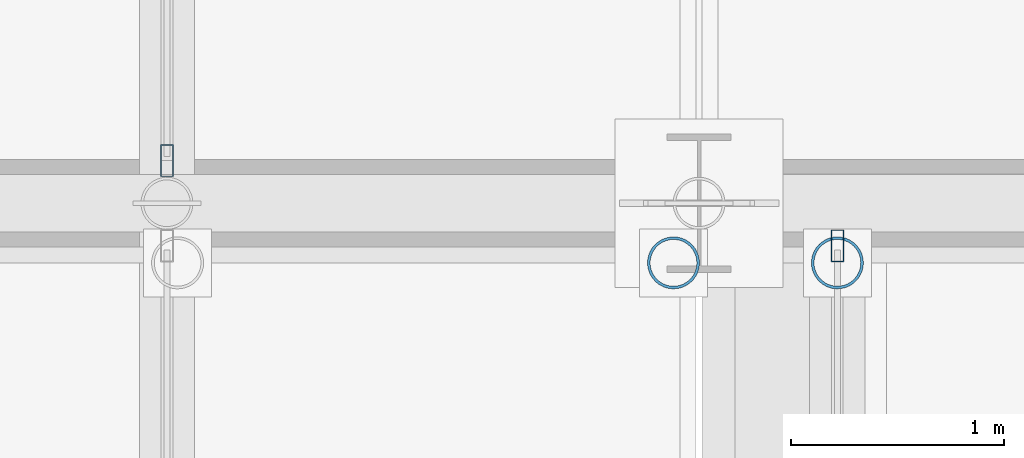
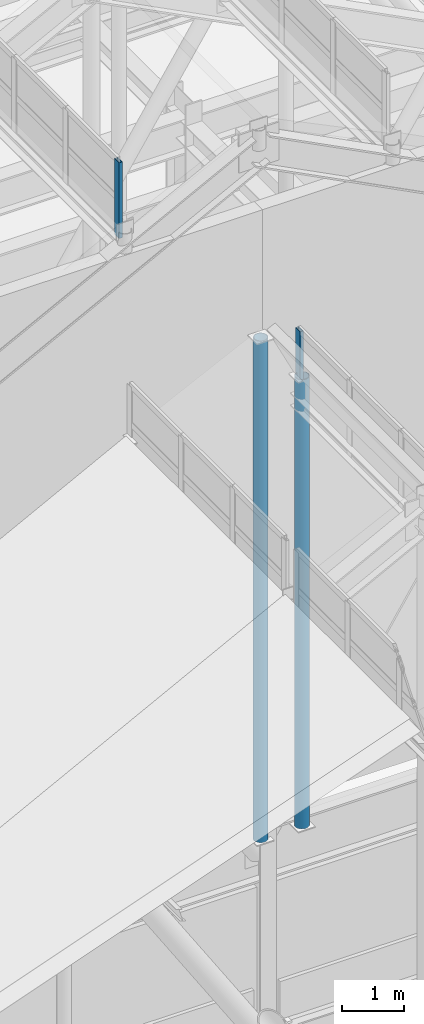
# One storey, part 27 of 84: 4 members, 2 elements without a shape of their own.
"""IFC4 building model written with IfcOpenShell, lengths in metres."""

from ifc_helpers import new_model, si_unit, direction, frame, origin, origin_2d, place, context, subcontext, project, spatial, hollow_rectangle, hollow_circle, extrude, material, layer, layer_set, material_profile, profile_set, type_object, element, aggregate, save


model = new_model("IFC4")

# Units and contexts
model_context = context("Model", 3, precision=1e-05, world=origin(), true_north=direction((0.0, 1.0)))
body_context = subcontext(model_context, "Body", "Model", "MODEL_VIEW")
ifc_project = project(units=[si_unit("LENGTHUNIT", "METRE"), si_unit("AREAUNIT", "SQUARE_METRE"), si_unit("VOLUMEUNIT", "CUBIC_METRE"), si_unit("PLANEANGLEUNIT", "RADIAN"), si_unit("MASSUNIT", "GRAM", prefix="KILO")], contexts=[model_context])

# Site, building, storey
site_placement = place(None, origin())
site = spatial("IfcSite", under=ifc_project, at=site_placement, CompositionType="ELEMENT")
building_placement = place(site_placement, origin())
building = spatial("IfcBuilding", under=site, at=building_placement, Name="Sundgate Opera House", CompositionType="ELEMENT")
storey_placement = place(building_placement, frame((0.0, 0.0, 30.60009765625)))
storey = spatial("IfcBuildingStorey", under=building, at=storey_placement, Name="L06", CompositionType="ELEMENT", Elevation=30.60009765625)

# Curtain wall, member
ifc_material_1 = material(Name="Anodized aluminium and low-iron glass", Category="aluminium")
ifc_layer = layer(ifc_material_1, 0.169921875)
ifc_layer_set = layer_set([ifc_layer], Name="Anodized aluminium and low-iron glass")
curtain_wall_type = type_object("IfcCurtainWallType", Name="CW-LANTERN-POLY", PredefinedType="NOTDEFINED", material=ifc_layer_set)
curtain_wall_1_placement = place(storey_placement, origin())
curtain_wall_1 = element("IfcCurtainWall", 1, at=curtain_wall_1_placement, inside=storey, type_object=curtain_wall_type, Name="L06 Curtain Wall CW178", PredefinedType="NOTDEFINED")
ifc_material_2 = material(Name="Anodized aluminium EN AW-6063", Category="aluminium")
ifc_material_profile_1 = material_profile(ifc_material_2, hollow_rectangle(XDim=0.06005859375, YDim=0.14990234375, WallThickness=0.00390625, at=origin_2d()), Name="CWM 150x60x4")
ifc_profile_set_1 = profile_set([ifc_material_profile_1], Name="Anodized aluminium EN AW-6063")
member_type_1 = type_object("IfcMemberType", Name="CWM-ALU-150x60", PredefinedType="MULLION", material=ifc_profile_set_1)
member_1_placement = place(storey_placement, frame((54.64990234375, 59.800048828125, 12.0), z_axis=(0.0, 0.0, 1.0), x_axis=(1.0, 0.0, 0.0)))
member_1 = element("IfcMember", 2, at=member_1_placement, type_object=member_type_1, Name="CW178 Mullion 4", PredefinedType="MULLION", context=body_context, shape_type="SweptSolid", body=[
    extrude(hollow_rectangle(XDim=0.06005859375, YDim=0.14990234375, WallThickness=0.00390625, at=origin_2d()), origin(), (0.0, 0.0, 1.0), 1.5),
])
aggregate(curtain_wall_1, [member_1])

curtain_wall_2_placement = place(storey_placement, origin())
curtain_wall_2 = element("IfcCurtainWall", 3, at=curtain_wall_2_placement, inside=storey, type_object=curtain_wall_type, Name="L06 Curtain Wall CW179", PredefinedType="NOTDEFINED")
member_2_placement = place(storey_placement, frame((51.5, 60.199951171875, 16.199951171875), z_axis=(0.0, 0.0, 1.0), x_axis=(1.0, 0.0, 0.0)))
member_2 = element("IfcMember", 4, at=member_2_placement, type_object=member_type_1, Name="CW179 Mullion 4", PredefinedType="MULLION", context=body_context, shape_type="SweptSolid", body=[
    extrude(hollow_rectangle(XDim=0.06005859375, YDim=0.14990234375, WallThickness=0.00390625, at=origin_2d()), origin(), (0.0, 0.0, 1.0), 1.5),
])
aggregate(curtain_wall_2, [member_2])

# Members
ifc_material_3 = material(Name="Steel S355J2", Category="steel")
ifc_material_profile_2 = material_profile(ifc_material_3, hollow_circle(Radius=0.122314453125, WallThickness=0.012451171875, at=origin_2d()), Name="CHS 244.5x12.5")
ifc_profile_set_2 = profile_set([ifc_material_profile_2], Name="Steel S355J2")
member_type_2 = type_object("IfcMemberType", Name="MB-STRUT-CHS244", PredefinedType="STRUT", material=ifc_profile_set_2)
member_3_placement = place(storey_placement, frame((53.8798828125, 59.719970703125, 3.75), z_axis=(0.0, 0.0, 1.0), x_axis=(1.0, 0.0, 0.0)))
element("IfcMember", 5, at=member_3_placement, inside=storey, type_object=member_type_2, Name="L06 Step Lantern Support Post MS051", PredefinedType="STRUT", context=body_context, shape_type="SweptSolid", body=[
    extrude(hollow_circle(Radius=0.122314453125, WallThickness=0.012451171875, at=origin_2d()), origin(), (0.0, 0.0, 1.0), 9.909912109375),
])
member_4_placement = place(storey_placement, frame((54.64990234375, 59.719970703125, 3.75), z_axis=(0.0, 0.0, 1.0), x_axis=(1.0, 0.0, 0.0)))
element("IfcMember", 6, at=member_4_placement, inside=storey, type_object=member_type_2, Name="L06 Step Lantern Support Post MS052", PredefinedType="STRUT", context=body_context, shape_type="SweptSolid", body=[
    extrude(hollow_circle(Radius=0.122314453125, WallThickness=0.012451171875, at=origin_2d()), origin(), (0.0, 0.0, 1.0), 8.8798828125),
])

save(model, "model.ifc")
